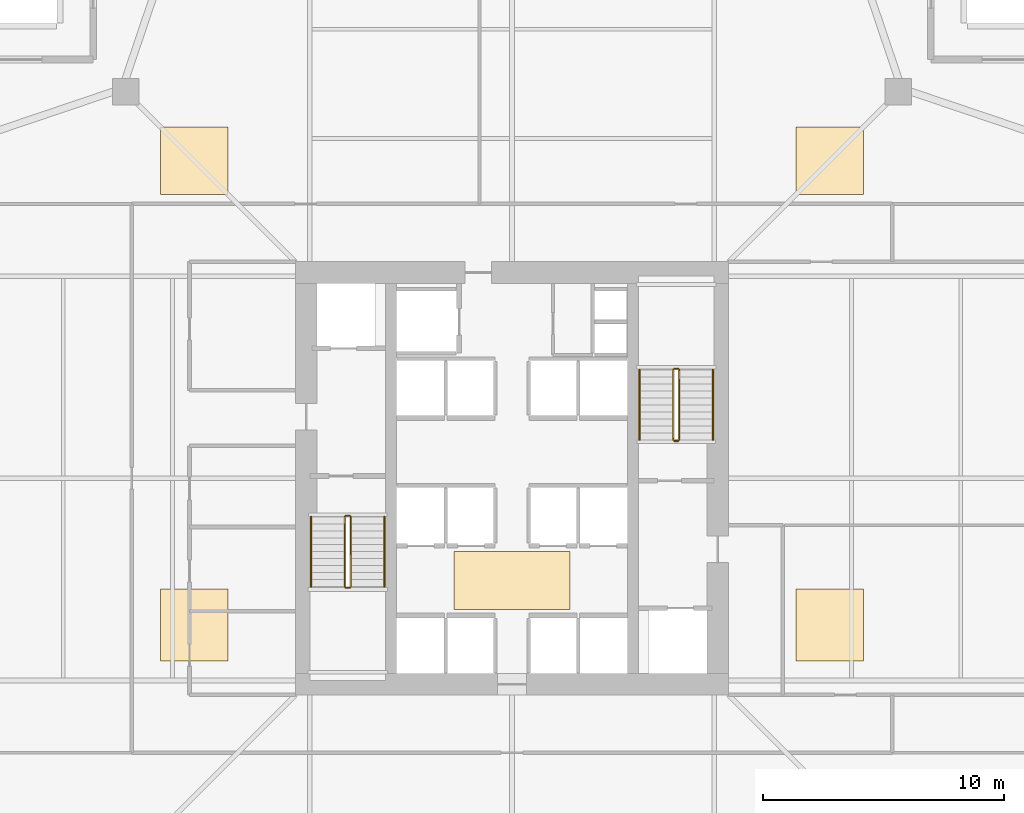
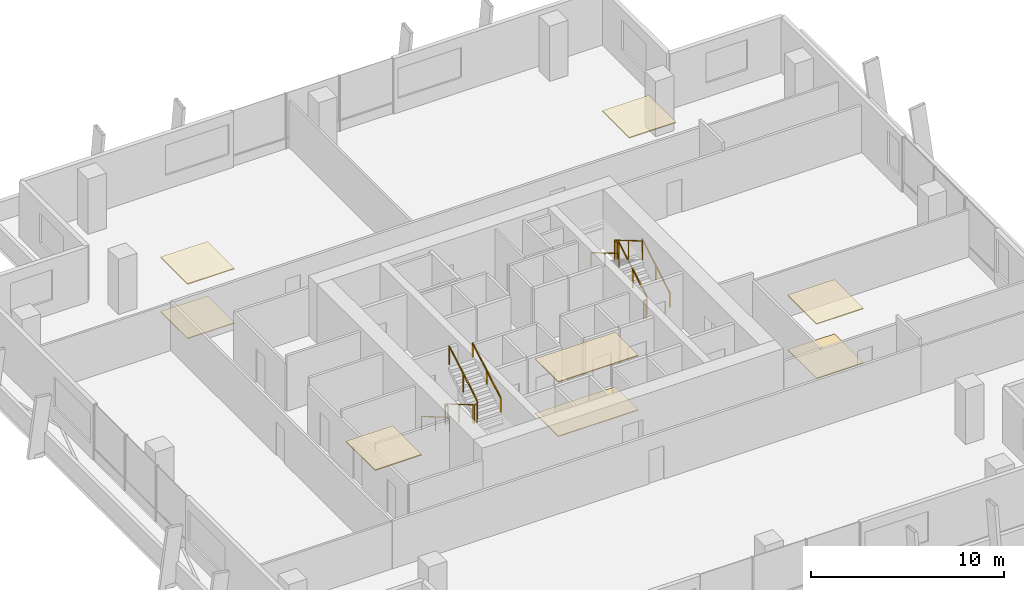
# One storey, part 16 of 16: 12 railings, 8 coverings.
"""IFC4 building model written with IfcOpenShell, lengths in metres."""

from ifc_helpers import new_model, si_unit, direction, frame, origin, origin_2d, place, context, subcontext, project, spatial, polyline, rectangle, outline, extrude, material, layer, layer_set, type_object, element, save


model = new_model("IFC4")

# Units and contexts
model_context = context("Model", 3, precision=1e-05, world=origin(), true_north=direction((0.0, 1.0)))
body_context = subcontext(model_context, "Body", "Model", "MODEL_VIEW")
ifc_project = project(units=[si_unit("LENGTHUNIT", "METRE"), si_unit("AREAUNIT", "SQUARE_METRE"), si_unit("VOLUMEUNIT", "CUBIC_METRE"), si_unit("PLANEANGLEUNIT", "RADIAN"), si_unit("MASSUNIT", "GRAM", prefix="KILO")], contexts=[model_context])

# Site, building, storey
site_placement = place(None, origin())
site = spatial("IfcSite", under=ifc_project, at=site_placement, CompositionType="ELEMENT")
building_placement = place(site_placement, origin())
building = spatial("IfcBuilding", under=site, at=building_placement, Name="Belovzor Exchange Tower", CompositionType="ELEMENT")
storey_placement = place(building_placement, frame((0.0, 0.0, 138.300048828125)))
storey = spatial("IfcBuildingStorey", under=building, at=storey_placement, Name="L33", CompositionType="ELEMENT", Elevation=138.300048828125)

# Railings
ifc_material_1 = material(Name="Stainless Steel Grade 304", Category="steel")
railing_type_1 = type_object("IfcRailingType", Name="Brushed Stainless Steel Stair Handrail 900", PredefinedType="HANDRAIL", material=ifc_material_1)
railing_1_placement = place(storey_placement, frame((20.449951171875, 27.199951171875, 0.17041015625)))
element("IfcRailing", 1, at=railing_1_placement, inside=storey, type_object=railing_type_1, Name="L33 ST-1 stair handrail 1", PredefinedType="HANDRAIL", context=body_context, shape_type="SweptSolid", body=[
    extrude(rectangle(XDim=0.048095703125, YDim=0.048095703125, at=origin_2d()), frame((0.0, 0.0, 0.8759765625), z_axis=(0.0, -0.86209462966, 0.506747323142), x_axis=(1.0, 0.0, 0.0)), (0.0, 0.0, 1.0), 3.36376953125),
    extrude(rectangle(XDim=0.0419921875, YDim=0.0419921875, at=origin_2d()), origin(), (0.0, 0.0, 1.0), 0.851806640625),
    extrude(rectangle(XDim=0.0419921875, YDim=0.0419921875, at=origin_2d()), frame((0.0, -1.449951171875, 0.852294921875)), (0.0, 0.0, 1.0), 0.851806640625),
    extrude(rectangle(XDim=0.0419921875, YDim=0.0419921875, at=origin_2d()), frame((0.0, -2.89990234375, 1.70458984375)), (0.0, 0.0, 1.0), 0.851806640625),
])
railing_2_placement = place(storey_placement, frame((23.5, 24.300048828125, 2.04541015625)))
element("IfcRailing", 2, at=railing_2_placement, inside=storey, type_object=railing_type_1, Name="L33 ST-1 stair handrail 2", PredefinedType="HANDRAIL", context=body_context, shape_type="SweptSolid", body=[
    extrude(rectangle(XDim=0.048095703125, YDim=0.048095703125, at=origin_2d()), frame((0.0, 0.0, 0.8759765625), z_axis=(0.0, 0.86209462966, 0.506747323142), x_axis=(-1.0, 0.0, 0.0)), (0.0, 0.0, 1.0), 3.36376953125),
    extrude(rectangle(XDim=0.0419921875, YDim=0.0419921875, at=origin_2d()), origin(), (0.0, 0.0, 1.0), 0.851806640625),
    extrude(rectangle(XDim=0.0419921875, YDim=0.0419921875, at=origin_2d()), frame((0.0, 1.449951171875, 0.852294921875)), (0.0, 0.0, 1.0), 0.851806640625),
    extrude(rectangle(XDim=0.0419921875, YDim=0.0419921875, at=origin_2d()), frame((0.0, 2.89990234375, 1.70458984375)), (0.0, 0.0, 1.0), 0.851806640625),
])
railing_3_placement = place(storey_placement, frame((37.14990234375, 30.39990234375, 0.17041015625)))
element("IfcRailing", 3, at=railing_3_placement, inside=storey, type_object=railing_type_1, Name="L33 ST-2 stair handrail 1", PredefinedType="HANDRAIL", context=body_context, shape_type="SweptSolid", body=[
    extrude(rectangle(XDim=0.048095703125, YDim=0.048095703125, at=origin_2d()), frame((0.0, 0.0, 0.8759765625), z_axis=(0.0, 0.862113265706, 0.506715617574), x_axis=(-1.0, 0.0, 0.0)), (0.0, 0.0, 1.0), 3.364013671875),
    extrude(rectangle(XDim=0.0419921875, YDim=0.0419921875, at=origin_2d()), origin(), (0.0, 0.0, 1.0), 0.851806640625),
    extrude(rectangle(XDim=0.0419921875, YDim=0.0419921875, at=origin_2d()), frame((0.0, 1.4501953125, 0.852294921875)), (0.0, 0.0, 1.0), 0.851806640625),
    extrude(rectangle(XDim=0.0419921875, YDim=0.0419921875, at=origin_2d()), frame((0.0, 2.900146484375, 1.70458984375)), (0.0, 0.0, 1.0), 0.851806640625),
])
railing_4_placement = place(storey_placement, frame((34.10009765625, 33.300048828125, 2.04541015625)))
element("IfcRailing", 4, at=railing_4_placement, inside=storey, type_object=railing_type_1, Name="L33 ST-2 stair handrail 2", PredefinedType="HANDRAIL", context=body_context, shape_type="SweptSolid", body=[
    extrude(rectangle(XDim=0.048095703125, YDim=0.048095703125, at=origin_2d()), frame((0.0, 0.0, 0.8759765625), z_axis=(0.0, -0.862113265706, 0.506715617574), x_axis=(1.0, 0.0, 0.0)), (0.0, 0.0, 1.0), 3.364013671875),
    extrude(rectangle(XDim=0.0419921875, YDim=0.0419921875, at=origin_2d()), origin(), (0.0, 0.0, 1.0), 0.851806640625),
    extrude(rectangle(XDim=0.0419921875, YDim=0.0419921875, at=origin_2d()), frame((0.0, -1.4501953125, 0.852294921875)), (0.0, 0.0, 1.0), 0.851806640625),
    extrude(rectangle(XDim=0.0419921875, YDim=0.0419921875, at=origin_2d()), frame((0.0, -2.900146484375, 1.70458984375)), (0.0, 0.0, 1.0), 0.851806640625),
])
ifc_material_2 = material(Name="Steel S355", Category="steel")
railing_type_2 = type_object("IfcRailingType", Name="Painted Steel Stairwell Guardrail 1200", PredefinedType="GUARDRAIL", material=ifc_material_2)
railing_5_placement = place(storey_placement, frame((21.85009765625, 27.199951171875, 0.17041015625)))
element("IfcRailing", 5, at=railing_5_placement, inside=storey, type_object=railing_type_2, Name="L33 ST-1 stair guard 1", PredefinedType="GUARDRAIL", context=body_context, shape_type="SweptSolid", body=[
    extrude(rectangle(XDim=0.048095703125, YDim=0.048095703125, at=origin_2d()), frame((0.0, 0.0, 1.17578125), z_axis=(0.0, -0.86209462966, 0.506747323142), x_axis=(1.0, 0.0, 0.0)), (0.0, 0.0, 1.0), 3.36376953125),
    extrude(rectangle(XDim=0.0419921875, YDim=0.0419921875, at=origin_2d()), origin(), (0.0, 0.0, 1.0), 1.15185546875),
    extrude(rectangle(XDim=0.0419921875, YDim=0.0419921875, at=origin_2d()), frame((0.0, -1.449951171875, 0.852294921875)), (0.0, 0.0, 1.0), 1.15185546875),
    extrude(rectangle(XDim=0.0419921875, YDim=0.0419921875, at=origin_2d()), frame((0.0, -2.89990234375, 1.70458984375)), (0.0, 0.0, 1.0), 1.15185546875),
])
railing_6_placement = place(storey_placement, frame((21.89990234375, 24.25, 1.875)))
element("IfcRailing", 6, at=railing_6_placement, inside=storey, type_object=railing_type_2, Name="L33 ST-1 stair guard 2", PredefinedType="GUARDRAIL", context=body_context, shape_type="SweptSolid", body=[
    extrude(rectangle(XDim=0.048095703125, YDim=0.048095703125, at=origin_2d()), frame((0.0, 0.0, 1.17578125), z_axis=(1.0, 0.0, 0.0), x_axis=(0.0, 1.0, 0.0)), (0.0, 0.0, 1.0), 0.150146484375),
    extrude(rectangle(XDim=0.0419921875, YDim=0.0419921875, at=origin_2d()), origin(), (0.0, 0.0, 1.0), 1.15185546875),
    extrude(rectangle(XDim=0.0419921875, YDim=0.0419921875, at=origin_2d()), frame((0.150146484375, 0.0, 0.0)), (0.0, 0.0, 1.0), 1.15185546875),
])
railing_7_placement = place(storey_placement, frame((22.10009765625, 24.300048828125, 2.04541015625)))
element("IfcRailing", 7, at=railing_7_placement, inside=storey, type_object=railing_type_2, Name="L33 ST-1 stair guard 3", PredefinedType="GUARDRAIL", context=body_context, shape_type="SweptSolid", body=[
    extrude(rectangle(XDim=0.048095703125, YDim=0.048095703125, at=origin_2d()), frame((0.0, 0.0, 1.17578125), z_axis=(0.0, 0.86209462966, 0.506747323142), x_axis=(-1.0, 0.0, 0.0)), (0.0, 0.0, 1.0), 3.36376953125),
    extrude(rectangle(XDim=0.0419921875, YDim=0.0419921875, at=origin_2d()), origin(), (0.0, 0.0, 1.0), 1.15185546875),
    extrude(rectangle(XDim=0.0419921875, YDim=0.0419921875, at=origin_2d()), frame((0.0, 1.449951171875, 0.852294921875)), (0.0, 0.0, 1.0), 1.15185546875),
    extrude(rectangle(XDim=0.0419921875, YDim=0.0419921875, at=origin_2d()), frame((0.0, 2.89990234375, 1.70458984375)), (0.0, 0.0, 1.0), 1.15185546875),
])
railing_8_placement = place(storey_placement, frame((21.89990234375, 27.25, 0.0)))
element("IfcRailing", 8, at=railing_8_placement, inside=storey, type_object=railing_type_2, Name="L33 ST-1 stair guard 4", PredefinedType="GUARDRAIL", context=body_context, shape_type="SweptSolid", body=[
    extrude(rectangle(XDim=0.048095703125, YDim=0.048095703125, at=origin_2d()), frame((0.0, 0.0, 1.17578125), z_axis=(1.0, 0.0, 0.0), x_axis=(0.0, 1.0, 0.0)), (0.0, 0.0, 1.0), 0.150146484375),
    extrude(rectangle(XDim=0.0419921875, YDim=0.0419921875, at=origin_2d()), origin(), (0.0, 0.0, 1.0), 1.15185546875),
    extrude(rectangle(XDim=0.0419921875, YDim=0.0419921875, at=origin_2d()), frame((0.150146484375, 0.0, 0.0)), (0.0, 0.0, 1.0), 1.15185546875),
])
railing_9_placement = place(storey_placement, frame((35.75, 30.39990234375, 0.17041015625)))
element("IfcRailing", 9, at=railing_9_placement, inside=storey, type_object=railing_type_2, Name="L33 ST-2 stair guard 1", PredefinedType="GUARDRAIL", context=body_context, shape_type="SweptSolid", body=[
    extrude(rectangle(XDim=0.048095703125, YDim=0.048095703125, at=origin_2d()), frame((0.0, 0.0, 1.17578125), z_axis=(0.0, 0.862113265706, 0.506715617574), x_axis=(-1.0, 0.0, 0.0)), (0.0, 0.0, 1.0), 3.364013671875),
    extrude(rectangle(XDim=0.0419921875, YDim=0.0419921875, at=origin_2d()), origin(), (0.0, 0.0, 1.0), 1.15185546875),
    extrude(rectangle(XDim=0.0419921875, YDim=0.0419921875, at=origin_2d()), frame((0.0, 1.4501953125, 0.852294921875)), (0.0, 0.0, 1.0), 1.15185546875),
    extrude(rectangle(XDim=0.0419921875, YDim=0.0419921875, at=origin_2d()), frame((0.0, 2.900146484375, 1.70458984375)), (0.0, 0.0, 1.0), 1.15185546875),
])
railing_10_placement = place(storey_placement, frame((35.699951171875, 33.35009765625, 1.875)))
element("IfcRailing", 10, at=railing_10_placement, inside=storey, type_object=railing_type_2, Name="L33 ST-2 stair guard 2", PredefinedType="GUARDRAIL", context=body_context, shape_type="SweptSolid", body=[
    extrude(rectangle(XDim=0.048095703125, YDim=0.048095703125, at=origin_2d()), frame((0.0, 0.0, 1.17578125), z_axis=(-1.0, 0.0, 0.0), x_axis=(0.0, -1.0, 0.0)), (0.0, 0.0, 1.0), 0.14990234375),
    extrude(rectangle(XDim=0.0419921875, YDim=0.0419921875, at=origin_2d()), origin(), (0.0, 0.0, 1.0), 1.15185546875),
    extrude(rectangle(XDim=0.0419921875, YDim=0.0419921875, at=origin_2d()), frame((-0.14990234375, 0.0, 0.0)), (0.0, 0.0, 1.0), 1.15185546875),
])
railing_11_placement = place(storey_placement, frame((35.5, 33.300048828125, 2.04541015625)))
element("IfcRailing", 11, at=railing_11_placement, inside=storey, type_object=railing_type_2, Name="L33 ST-2 stair guard 3", PredefinedType="GUARDRAIL", context=body_context, shape_type="SweptSolid", body=[
    extrude(rectangle(XDim=0.048095703125, YDim=0.048095703125, at=origin_2d()), frame((0.0, 0.0, 1.17578125), z_axis=(0.0, -0.862113265706, 0.506715617574), x_axis=(1.0, 0.0, 0.0)), (0.0, 0.0, 1.0), 3.364013671875),
    extrude(rectangle(XDim=0.0419921875, YDim=0.0419921875, at=origin_2d()), origin(), (0.0, 0.0, 1.0), 1.15185546875),
    extrude(rectangle(XDim=0.0419921875, YDim=0.0419921875, at=origin_2d()), frame((0.0, -1.4501953125, 0.852294921875)), (0.0, 0.0, 1.0), 1.15185546875),
    extrude(rectangle(XDim=0.0419921875, YDim=0.0419921875, at=origin_2d()), frame((0.0, -2.900146484375, 1.70458984375)), (0.0, 0.0, 1.0), 1.15185546875),
])
railing_12_placement = place(storey_placement, frame((35.699951171875, 30.35009765625, 0.0)))
element("IfcRailing", 12, at=railing_12_placement, inside=storey, type_object=railing_type_2, Name="L33 ST-2 stair guard 4", PredefinedType="GUARDRAIL", context=body_context, shape_type="SweptSolid", body=[
    extrude(rectangle(XDim=0.048095703125, YDim=0.048095703125, at=origin_2d()), frame((0.0, 0.0, 1.17578125), z_axis=(-1.0, 0.0, 0.0), x_axis=(0.0, -1.0, 0.0)), (0.0, 0.0, 1.0), 0.14990234375),
    extrude(rectangle(XDim=0.0419921875, YDim=0.0419921875, at=origin_2d()), origin(), (0.0, 0.0, 1.0), 1.15185546875),
    extrude(rectangle(XDim=0.0419921875, YDim=0.0419921875, at=origin_2d()), frame((-0.14990234375, 0.0, 0.0)), (0.0, 0.0, 1.0), 1.15185546875),
])

# Coverings
ifc_material_3 = material(Name="Perforated Powder-Coated Aluminium", Category="aluminium")
ifc_layer_1 = layer(ifc_material_3, 0.06005859375)
ifc_layer_set_1 = layer_set([ifc_layer_1], Name="Perforated Powder-Coated Aluminium")
covering_type_1 = type_object("IfcCoveringType", Name="Perforated Acoustic Metal Tile Suspended Ceiling 60", PredefinedType="CEILING", material=ifc_layer_set_1)
covering_1_placement = place(storey_placement, frame((0.0, 0.0, 3.43505859375)))
element("IfcCovering", 13, at=covering_1_placement, inside=storey, type_object=covering_type_1, Name="CLG-AC60 Suspended Ceiling CLG-L33-LOB", PredefinedType="CEILING", context=body_context, shape_type="SweptSolid", body=[
    extrude(outline(polyline([(26.39990234375, 23.35009765625), (31.199951171875, 23.35009765625), (31.199951171875, 25.75), (26.39990234375, 25.75), (26.39990234375, 23.35009765625)])), origin(), (0.0, 0.0, 1.0), 0.059814453125),
])
covering_2_placement = place(storey_placement, frame((0.0, 0.0, 3.43505859375)))
element("IfcCovering", 14, at=covering_2_placement, inside=storey, type_object=covering_type_1, Name="CLG-AC60 Suspended Ceiling CLG-L33-Z0", PredefinedType="CEILING", context=body_context, shape_type="SweptSolid", body=[
    extrude(outline(polyline([(40.60009765625, 21.199951171875), (43.39990234375, 21.199951171875), (43.39990234375, 24.199951171875), (40.60009765625, 24.199951171875), (40.60009765625, 21.199951171875)])), origin(), (0.0, 0.0, 1.0), 0.059814453125),
])
covering_3_placement = place(storey_placement, frame((0.0, 0.0, 3.43505859375)))
element("IfcCovering", 15, at=covering_3_placement, inside=storey, type_object=covering_type_1, Name="CLG-AC60 Suspended Ceiling CLG-L33-Z1", PredefinedType="CEILING", context=body_context, shape_type="SweptSolid", body=[
    extrude(outline(polyline([(40.60009765625, 40.60009765625), (43.39990234375, 40.60009765625), (43.39990234375, 43.39990234375), (40.60009765625, 43.39990234375), (40.60009765625, 40.60009765625)])), origin(), (0.0, 0.0, 1.0), 0.059814453125),
])
covering_4_placement = place(storey_placement, frame((0.0, 0.0, 3.43505859375)))
element("IfcCovering", 16, at=covering_4_placement, inside=storey, type_object=covering_type_1, Name="CLG-AC60 Suspended Ceiling CLG-L33-Z2", PredefinedType="CEILING", context=body_context, shape_type="SweptSolid", body=[
    extrude(outline(polyline([(14.199951171875, 40.60009765625), (17.0, 40.60009765625), (17.0, 43.39990234375), (14.199951171875, 43.39990234375), (14.199951171875, 40.60009765625)])), origin(), (0.0, 0.0, 1.0), 0.059814453125),
])
covering_5_placement = place(storey_placement, frame((0.0, 0.0, 3.43505859375)))
element("IfcCovering", 17, at=covering_5_placement, inside=storey, type_object=covering_type_1, Name="CLG-AC60 Suspended Ceiling CLG-L33-Z3", PredefinedType="CEILING", context=body_context, shape_type="SweptSolid", body=[
    extrude(outline(polyline([(14.199951171875, 21.199951171875), (17.0, 21.199951171875), (17.0, 24.199951171875), (14.199951171875, 24.199951171875), (14.199951171875, 21.199951171875)])), origin(), (0.0, 0.0, 1.0), 0.059814453125),
])
ifc_material_4 = material(Name="Polished Natural Granite Tile", Category="masonry")
ifc_layer_2 = layer(ifc_material_4, 0.050048828125)
ifc_layer_set_2 = layer_set([ifc_layer_2], Name="Polished Natural Granite Tile")
covering_type_2 = type_object("IfcCoveringType", Name="Polished Karelian Granite & Raised Access Floor Finish 50", PredefinedType="FLOORING", material=ifc_layer_set_2)
covering_6_placement = place(storey_placement, origin())
element("IfcCovering", 18, at=covering_6_placement, inside=storey, type_object=covering_type_2, Name="FLR-GR50 Floor Finish FLR-L33-LOB", PredefinedType="FLOORING", context=body_context, shape_type="SweptSolid", body=[
    extrude(outline(polyline([(26.39990234375, 23.35009765625), (31.199951171875, 23.35009765625), (31.199951171875, 25.75), (26.39990234375, 25.75), (26.39990234375, 23.35009765625)])), origin(), (0.0, 0.0, 1.0), 0.050048828125),
])
covering_7_placement = place(storey_placement, origin())
element("IfcCovering", 19, at=covering_7_placement, inside=storey, type_object=covering_type_2, Name="FLR-GR50 Floor Finish FLR-L33-Z0", PredefinedType="FLOORING", context=body_context, shape_type="SweptSolid", body=[
    extrude(outline(polyline([(40.60009765625, 21.199951171875), (43.39990234375, 21.199951171875), (43.39990234375, 24.199951171875), (40.60009765625, 24.199951171875), (40.60009765625, 21.199951171875)])), origin(), (0.0, 0.0, 1.0), 0.050048828125),
])
covering_8_placement = place(storey_placement, origin())
element("IfcCovering", 20, at=covering_8_placement, inside=storey, type_object=covering_type_2, Name="FLR-GR50 Floor Finish FLR-L33-Z2", PredefinedType="FLOORING", context=body_context, shape_type="SweptSolid", body=[
    extrude(outline(polyline([(14.199951171875, 40.60009765625), (17.0, 40.60009765625), (17.0, 43.39990234375), (14.199951171875, 43.39990234375), (14.199951171875, 40.60009765625)])), origin(), (0.0, 0.0, 1.0), 0.050048828125),
])

save(model, "model.ifc")
